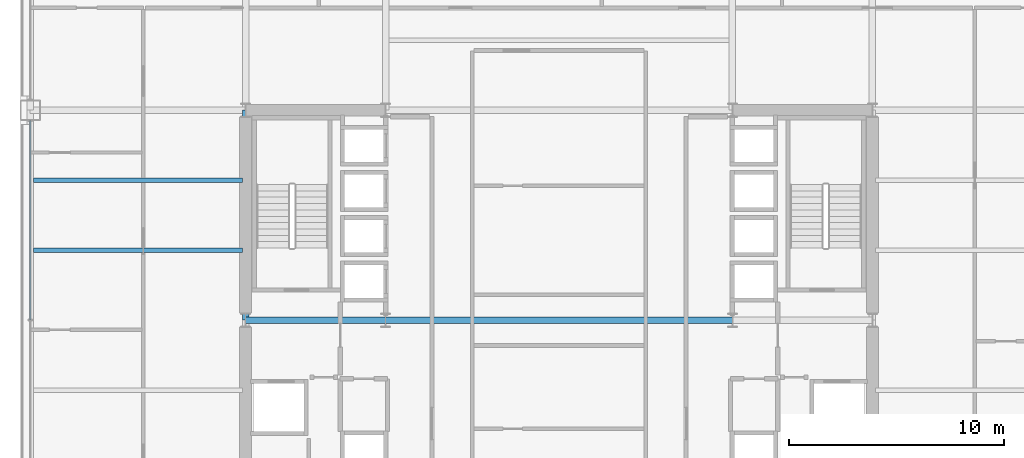
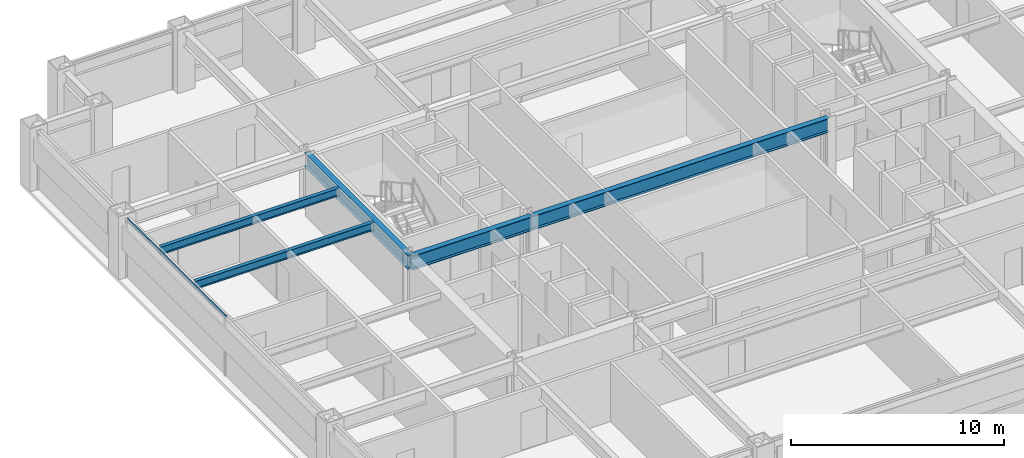
# One storey, part 8 of 28: 5 beams, 1 member, 1 element without a shape of its own.
"""IFC4 building model written with IfcOpenShell, lengths in metres."""

from ifc_helpers import new_model, si_unit, direction, frame, origin, origin_2d, place, context, subcontext, project, spatial, hollow_rectangle, i_section, extrude, material, layer, layer_set, material_profile, profile_set, type_object, element, aggregate, save


model = new_model("IFC4")

# Units and contexts
model_context = context("Model", 3, precision=1e-05, world=origin(), true_north=direction((0.0, 1.0)))
body_context = subcontext(model_context, "Body", "Model", "MODEL_VIEW")
ifc_project = project(units=[si_unit("LENGTHUNIT", "METRE"), si_unit("AREAUNIT", "SQUARE_METRE"), si_unit("VOLUMEUNIT", "CUBIC_METRE"), si_unit("PLANEANGLEUNIT", "RADIAN"), si_unit("MASSUNIT", "GRAM", prefix="KILO")], contexts=[model_context])

# Site, building, storey
site_placement = place(None, origin())
site = spatial("IfcSite", under=ifc_project, at=site_placement, CompositionType="ELEMENT")
building_placement = place(site_placement, origin())
building = spatial("IfcBuilding", under=site, at=building_placement, Name="Brelmoor Portico Tower", CompositionType="ELEMENT")
storey_placement = place(building_placement, frame((0.0, 0.0, 49.199951171875)))
storey = spatial("IfcBuildingStorey", under=building, at=storey_placement, Name="L12", CompositionType="ELEMENT", Elevation=49.199951171875)

# Beams
ifc_material_1 = material(Name="Steel Q355B", Category="steel")
ifc_material_profile_1 = material_profile(ifc_material_1, i_section(OverallWidth=0.199951171875, OverallDepth=0.449951171875, WebThickness=0.009033203125, FlangeThickness=0.013916015625, at=origin_2d()), Name="HN 450x200x9x14")
ifc_profile_set_1 = profile_set([ifc_material_profile_1], Name="Steel Q355B")
beam_type_1 = type_object("IfcBeamType", Name="BM-JS-450", PredefinedType="JOIST", material=ifc_profile_set_1)
for number, where, z_axis, x_axis, name in (
    (1, (-24.39990234375, 3.25, 3.175048828125), (1.0, 0.0, 0.0), (0.0, 1.0, 0.0), "L12 Secondary Wing Joist JS-W07"),
    (2, (-24.39990234375, 6.5, 3.175048828125), (1.0, 0.0, 0.0), (0.0, 1.0, 0.0), "L12 Secondary Wing Joist JS-W08"),
):
    element("IfcBeam", number, at=place(storey_placement, frame(where, z_axis=z_axis, x_axis=x_axis)), inside=storey, type_object=beam_type_1, Name=name, PredefinedType="JOIST", context=body_context, shape_type="SweptSolid", body=[
        extrude(i_section(OverallWidth=0.199951171875, OverallDepth=0.449951171875, WebThickness=0.009033203125, FlangeThickness=0.013916015625, at=origin_2d()), origin(), (0.0, 0.0, 1.0), 9.699951171875),
    ])
ifc_material_profile_2 = material_profile(ifc_material_1, i_section(OverallWidth=0.300048828125, OverallDepth=0.800048828125, WebThickness=0.013916015625, FlangeThickness=0.02587890625, at=origin_2d()), Name="HN 800x300x14x26")
ifc_profile_set_2 = profile_set([ifc_material_profile_2], Name="Steel Q355B")
beam_type_2 = type_object("IfcBeamType", Name="BM-PG-800", PredefinedType="BEAM", material=ifc_profile_set_2)
beam_1_placement = place(storey_placement, frame((-14.550048828125, 0.0, 3.0), z_axis=(0.0, 1.0, 0.0), x_axis=(-1.0, 0.0, 0.0)))
element("IfcBeam", 3, at=beam_1_placement, inside=storey, type_object=beam_type_2, Name="L12 Primary Floor Girder PG-05", PredefinedType="BEAM", context=body_context, shape_type="SweptSolid", body=[
    extrude(i_section(OverallWidth=0.300048828125, OverallDepth=0.800048828125, WebThickness=0.013916015625, FlangeThickness=0.02587890625, at=origin_2d()), origin(), (0.0, 0.0, 1.0), 9.75),
])
beam_2_placement = place(storey_placement, frame((-14.550048828125, 0.0, 3.0), z_axis=(1.0, 0.0, 0.0), x_axis=(0.0, 1.0, 0.0)))
element("IfcBeam", 4, at=beam_2_placement, inside=storey, type_object=beam_type_2, Name="L12 Primary Floor Girder PG-24", PredefinedType="BEAM", context=body_context, shape_type="SweptSolid", body=[
    extrude(i_section(OverallWidth=0.300048828125, OverallDepth=0.800048828125, WebThickness=0.013916015625, FlangeThickness=0.02587890625, at=origin_2d()), origin(), (0.0, 0.0, 1.0), 6.5),
])
beam_3_placement = place(storey_placement, frame((-8.050048828125, 0.0, 3.0), z_axis=(1.0, 0.0, 0.0), x_axis=(0.0, 1.0, 0.0)))
element("IfcBeam", 5, at=beam_3_placement, inside=storey, type_object=beam_type_2, Name="L12 Primary Floor Girder PG-25", PredefinedType="BEAM", context=body_context, shape_type="SweptSolid", body=[
    extrude(i_section(OverallWidth=0.300048828125, OverallDepth=0.800048828125, WebThickness=0.013916015625, FlangeThickness=0.02587890625, at=origin_2d()), origin(), (0.0, 0.0, 1.0), 16.10009765625),
])

# Curtain wall, member
ifc_material_2 = material(Name="Anodised Aluminium Alloy 6063-T6", Category="aluminium")
ifc_layer = layer(ifc_material_2, 0.179931640625)
ifc_layer_set = layer_set([ifc_layer], Name="Anodised Aluminium Alloy 6063-T6")
curtain_wall_type = type_object("IfcCurtainWallType", Name="CW-TOWER-Z1-XB", PredefinedType="NOTDEFINED", material=ifc_layer_set)
curtain_wall_placement = place(storey_placement, origin())
curtain_wall = element("IfcCurtainWall", 6, at=curtain_wall_placement, inside=storey, type_object=curtain_wall_type, Name="L12 Curtain Wall CW-L12-03-2", PredefinedType="NOTDEFINED")
ifc_material_profile_3 = material_profile(ifc_material_2, hollow_rectangle(XDim=0.06494140625, YDim=0.139892578125, WallThickness=0.00390625, at=origin_2d()), Name="ALU TRANSOM 65x140")
ifc_profile_set_3 = profile_set([ifc_material_profile_3], Name="Anodised Aluminium Alloy 6063-T6")
member_type = type_object("IfcMemberType", Name="MB-CW-TRAN-140", PredefinedType="USERDEFINED", material=ifc_profile_set_3)
member_placement = place(storey_placement, frame((-24.550048828125, 0.0, 3.330078125), z_axis=(0.0, 1.0, 0.0), x_axis=(-1.0, 0.0, 0.0)))
member = element("IfcMember", 7, at=member_placement, type_object=member_type, Name="CW-L12-03-2 Transom 1-01", ObjectType="TRANSOM", PredefinedType="USERDEFINED", context=body_context, shape_type="SweptSolid", body=[
    extrude(hollow_rectangle(XDim=0.06494140625, YDim=0.139892578125, WallThickness=0.00390625, at=origin_2d()), origin(), (0.0, 0.0, 1.0), 9.264892578125),
])
aggregate(curtain_wall, [member])

save(model, "model.ifc")
